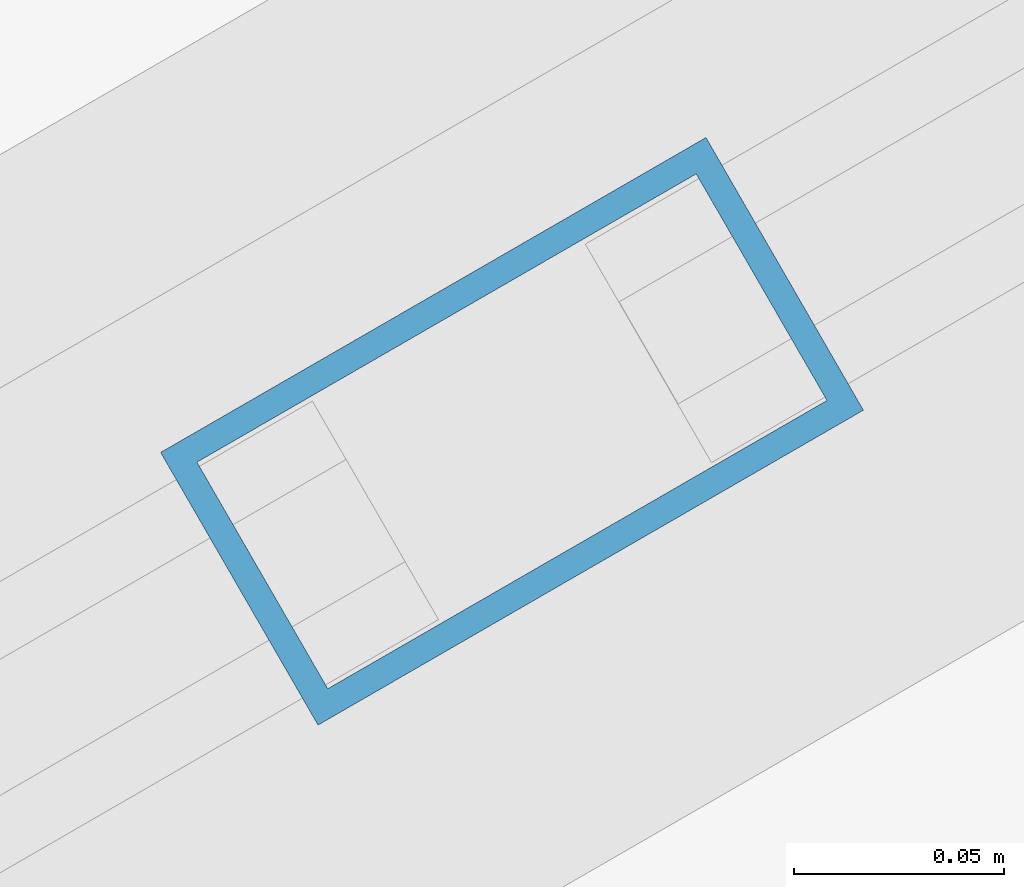
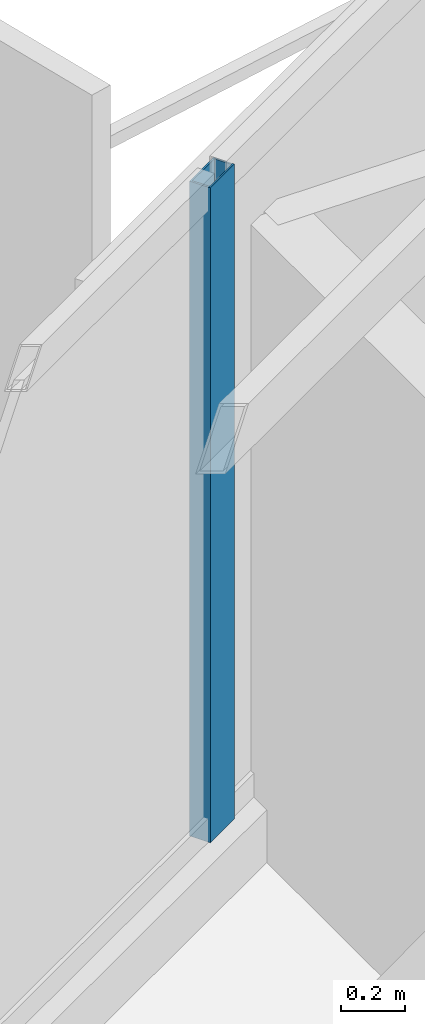
# One storey, part 10 of 22: 1 member, 1 element without a shape of its own.
"""IFC4 building model written with IfcOpenShell, lengths in metres."""

from ifc_helpers import new_model, si_unit, direction, frame, origin, origin_2d, place, context, subcontext, project, spatial, hollow_rectangle, extrude, material, layer, layer_set, material_profile, profile_set, type_object, element, aggregate, save


model = new_model("IFC4")

# Units and contexts
model_context = context("Model", 3, precision=1e-05, world=origin(), true_north=direction((0.0, 1.0)))
body_context = subcontext(model_context, "Body", "Model", "MODEL_VIEW")
ifc_project = project(units=[si_unit("LENGTHUNIT", "METRE"), si_unit("AREAUNIT", "SQUARE_METRE"), si_unit("VOLUMEUNIT", "CUBIC_METRE"), si_unit("PLANEANGLEUNIT", "RADIAN"), si_unit("MASSUNIT", "GRAM", prefix="KILO")], contexts=[model_context])

# Site, building, storey
site_placement = place(None, origin())
site = spatial("IfcSite", under=ifc_project, at=site_placement, CompositionType="ELEMENT")
building_placement = place(site_placement, origin())
building = spatial("IfcBuilding", under=site, at=building_placement, Name="Mersakhor Tower and Convention Hall", CompositionType="ELEMENT")
storey_placement = place(building_placement, frame((0.0, 0.0, 188.699951171875)))
storey = spatial("IfcBuildingStorey", under=building, at=storey_placement, Name="L52", CompositionType="ELEMENT", Elevation=188.699951171875)

# Curtain wall, member
ifc_material_1 = material(Name="Dark solar low-E aluminium curtain wall", Category="aluminium")
ifc_layer = layer(ifc_material_1, 0.169921875)
ifc_layer_set = layer_set([ifc_layer], Name="Dark solar low-E aluminium curtain wall")
curtain_wall_type = type_object("IfcCurtainWallType", Name="CW-SYS-02", PredefinedType="USERDEFINED", material=ifc_layer_set)
curtain_wall_placement = place(storey_placement, origin())
curtain_wall = element("IfcCurtainWall", 1, at=curtain_wall_placement, inside=storey, type_object=curtain_wall_type, Name="L52 Dark-Glass Curtain Wall F1-B2", ObjectType="CURTAIN WALL", PredefinedType="USERDEFINED")
ifc_material_2 = material(Name="Anodised aluminium EN AW-6063 T6", Category="aluminium")
ifc_material_profile = material_profile(ifc_material_2, hollow_rectangle(XDim=0.074951171875, YDim=0.14990234375, WallThickness=0.00634765625, at=origin_2d()), Name="RHS 150x75x6.3")
ifc_profile_set = profile_set([ifc_material_profile], Name="Anodised aluminium EN AW-6063 T6")
member_type = type_object("IfcMemberType", Name="CWM-150x75", PredefinedType="MULLION", material=ifc_profile_set)
member_placement = place(storey_placement, frame((24.504638671875, 37.535888671875, 0.199951171875), z_axis=(0.0, 0.0, 1.0), x_axis=(-0.500007824483, 0.86602088627, 0.0)))
member = element("IfcMember", 2, at=member_placement, type_object=member_type, Name="CW-02 mullion 3", PredefinedType="MULLION", context=body_context, shape_type="SweptSolid", body=[
    extrude(hollow_rectangle(XDim=0.074951171875, YDim=0.14990234375, WallThickness=0.00634765625, at=origin_2d()), origin(), (0.0, 0.0, 1.0), 2.489990234375),
])
aggregate(curtain_wall, [member])

save(model, "model.ifc")
